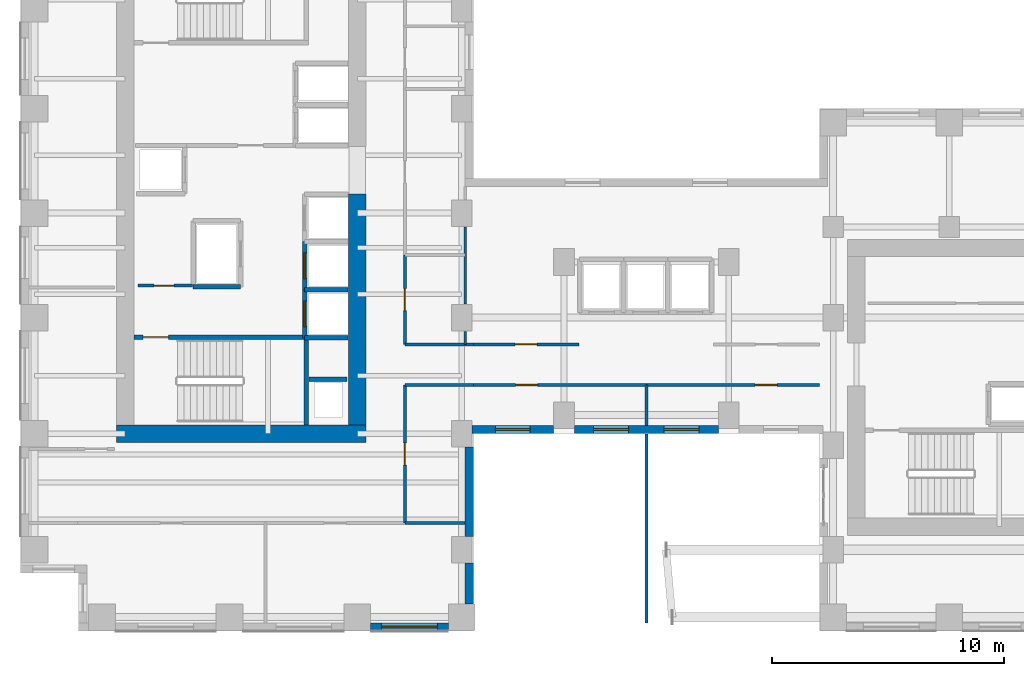
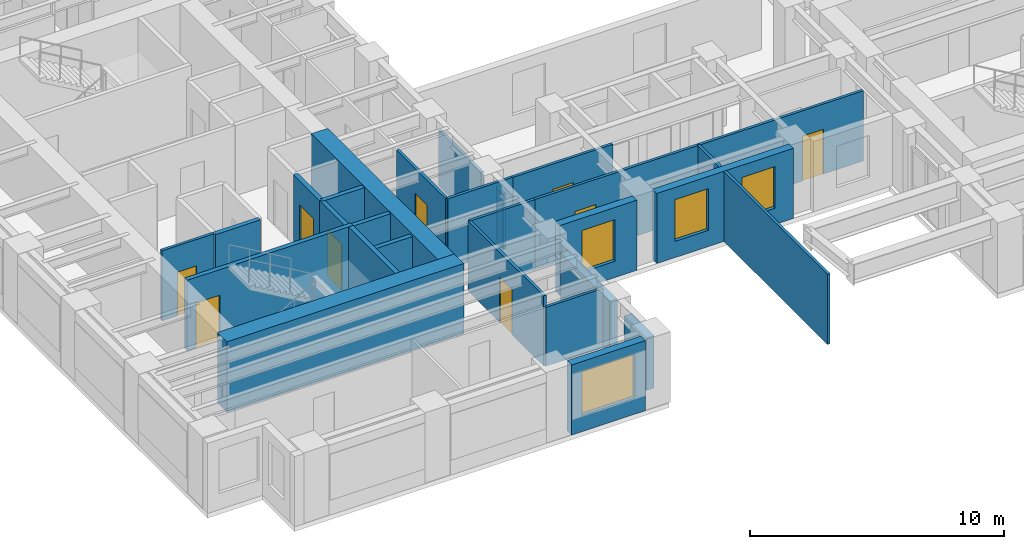
# One storey, part 7 of 14: 28 walls, 9 doors, 4 windows, 13 openings.
"""IFC4 building model written with IfcOpenShell, lengths in metres."""

from ifc_helpers import new_model, si_unit, direction, frame, frame_2d, origin, place, context, subcontext, project, spatial, rectangle, extrude, source, transform, mapped, material, layer, layer_set, type_object, element, fill, save


model = new_model("IFC4")

# Units and contexts
model_context = context("Model", 3, precision=1e-05, world=origin(), true_north=direction((0.0, 1.0)))
body_context = subcontext(model_context, "Body", "Model", "MODEL_VIEW")
ifc_project = project(units=[si_unit("LENGTHUNIT", "METRE"), si_unit("AREAUNIT", "SQUARE_METRE"), si_unit("VOLUMEUNIT", "CUBIC_METRE"), si_unit("PLANEANGLEUNIT", "RADIAN"), si_unit("MASSUNIT", "GRAM", prefix="KILO")], contexts=[model_context])

# Site, building, storey
site_placement = place(None, origin())
site = spatial("IfcSite", under=ifc_project, at=site_placement, CompositionType="ELEMENT")
building_placement = place(site_placement, origin())
building = spatial("IfcBuilding", under=site, at=building_placement, Name="Kharzan Plaza Tower", CompositionType="ELEMENT")
storey_placement = place(building_placement, frame((0.0, 0.0, 102.60009765625)))
storey = spatial("IfcBuildingStorey", under=building, at=storey_placement, Name="L27", CompositionType="ELEMENT", Elevation=102.60009765625)

# Wall, opening, window
ifc_material_1 = material(Name="Concrete C40/50", Category="concrete")
ifc_layer_1 = layer(ifc_material_1, 0.35009765625)
ifc_layer_set_1 = layer_set([ifc_layer_1], Name="Concrete C40/50")
wall_type_1 = type_object("IfcWallType", Name="WL-EXT-MAS-Z2", PredefinedType="SOLIDWALL", material=ifc_layer_set_1)
wall_1_placement = place(storey_placement, frame((15.072998046875, 0.175048828125, 0.0), z_axis=(0.0, 0.0, 1.0), x_axis=(1.0, 0.0, 0.0)))
wall_1 = element("IfcWall", 1, at=wall_1_placement, inside=storey, type_object=wall_type_1, Name="L27 Masonry-Frame Exterior Wall 31", PredefinedType="SOLIDWALL", context=body_context, shape_type="SweptSolid", body=[
    extrude(rectangle(XDim=3.35400390625, YDim=0.35009765625, at=frame_2d((1.677001953125, 0.0))), origin(), (0.0, 0.0, 1.0), 3.364990234375),
])
opening_1_placement = place(wall_1_placement, frame((0.47705078125, 0.0, 0.780029296875)))
opening_1 = element("IfcOpeningElement", 2, at=opening_1_placement, cuts=wall_1, Name="Opening W2", PredefinedType="OPENING", context=body_context, shape_type="SweptSolid", body=[
    extrude(rectangle(XDim=2.39990234375, YDim=2.10009765625, at=frame_2d((1.199951171875, 1.050048828125))), frame((0.0, 0.18505859375, 0.0), z_axis=(0.0, -1.0, 0.0), x_axis=(1.0, 0.0, 0.0)), (0.0, 0.0, 1.0), 0.3701171875),
])
ifc_material_2 = material(Name="Low-E Double Glazing", Category="glass")
window_type_1 = type_object("IfcWindowType", Name="WN-REC-2400x2100", PartitioningType="SINGLE_PANEL", PredefinedType="WINDOW", material=ifc_material_2)
shared_shape_1 = source(origin(), body_context, "Body", "SweptSolid", [
    extrude(rectangle(XDim=2.39990234375, YDim=2.10009765625, at=frame_2d((1.199951171875, 1.050048828125))), frame((0.0, 0.030029296875, 0.0), z_axis=(0.0, -1.0, 0.0), x_axis=(1.0, 0.0, 0.0)), (0.0, 0.0, 1.0), 0.06005859375),
])
window_1_placement = place(opening_1_placement, origin())
window_1 = element("IfcWindow", 3, at=window_1_placement, inside=storey, type_object=window_type_1, Name="L27 Wide Recessed Solar-Control Window 31-1", OverallHeight=2.10009765625, OverallWidth=2.39990234375, PartitioningType="SINGLE_PANEL", PredefinedType="WINDOW", context=body_context, shape_type="MappedRepresentation", body=[
    mapped(shared_shape_1, transform((0.0, 0.0, 0.0), x_axis=(1.0, 0.0, 0.0), y_axis=(0.0, 1.0, 0.0), z_axis=(0.0, 0.0, 1.0))),
])
fill(opening_1, window_1)

wall_2_placement = place(storey_placement, frame((19.447998046875, 8.675048828125, 0.0), z_axis=(0.0, 0.0, 1.0), x_axis=(1.0, 0.0, 0.0)))
wall_2 = element("IfcWall", 4, at=wall_2_placement, inside=storey, type_object=wall_type_1, Name="L27 Masonry-Frame Exterior Wall 34", PredefinedType="SOLIDWALL", context=body_context, shape_type="SweptSolid", body=[
    extrude(rectangle(XDim=3.50390625, YDim=0.35009765625, at=frame_2d((1.751953125, 0.0))), origin(), (0.0, 0.0, 1.0), 3.364990234375),
])
opening_2_placement = place(wall_2_placement, frame((1.001953125, 0.0, 0.780029296875)))
opening_2 = element("IfcOpeningElement", 5, at=opening_2_placement, cuts=wall_2, Name="Opening W5", PredefinedType="OPENING", context=body_context, shape_type="SweptSolid", body=[
    extrude(rectangle(XDim=1.5, YDim=2.0, at=frame_2d((0.75, 1.0))), frame((0.0, 0.18505859375, 0.0), z_axis=(0.0, -1.0, 0.0), x_axis=(1.0, 0.0, 0.0)), (0.0, 0.0, 1.0), 0.3701171875),
])
window_type_2 = type_object("IfcWindowType", Name="WN-SLT-1500x2000", PartitioningType="SINGLE_PANEL", PredefinedType="WINDOW", material=ifc_material_2)
shared_shape_2 = source(origin(), body_context, "Body", "SweptSolid", [
    extrude(rectangle(XDim=1.5, YDim=2.0, at=frame_2d((0.75, 1.0))), frame((0.0, 0.030029296875, 0.0), z_axis=(0.0, -1.0, 0.0), x_axis=(1.0, 0.0, 0.0)), (0.0, 0.0, 1.0), 0.06005859375),
])
window_2_placement = place(opening_2_placement, origin())
window_2 = element("IfcWindow", 6, at=window_2_placement, inside=storey, type_object=window_type_2, Name="L27 Recessed Solar-Control Window 34-1", OverallHeight=2.0, OverallWidth=1.5, PartitioningType="SINGLE_PANEL", PredefinedType="WINDOW", context=body_context, shape_type="MappedRepresentation", body=[
    mapped(shared_shape_2, transform((0.0, 0.0, 0.0), x_axis=(1.0, 0.0, 0.0), y_axis=(0.0, 1.0, 0.0), z_axis=(0.0, 0.0, 1.0))),
])
fill(opening_2, window_2)

# Wall, openings, windows
wall_3_placement = place(storey_placement, frame((23.847900390625, 8.675048828125, 0.0), z_axis=(0.0, 0.0, 1.0), x_axis=(1.0, 0.0, 0.0)))
wall_3 = element("IfcWall", 7, at=wall_3_placement, inside=storey, type_object=wall_type_1, Name="L27 Masonry-Frame Exterior Wall 35", PredefinedType="SOLIDWALL", context=body_context, shape_type="SweptSolid", body=[
    extrude(rectangle(XDim=6.2041015625, YDim=0.35009765625, at=frame_2d((3.10205078125, 0.0))), origin(), (0.0, 0.0, 1.0), 3.364990234375),
])
opening_3_placement = place(wall_3_placement, frame((0.8359375, 0.0, 0.780029296875)))
opening_3 = element("IfcOpeningElement", 8, at=opening_3_placement, cuts=wall_3, Name="Opening W5", PredefinedType="OPENING", context=body_context, shape_type="SweptSolid", body=[
    extrude(rectangle(XDim=1.5, YDim=2.0, at=frame_2d((0.75, 1.0))), frame((0.0, 0.18505859375, 0.0), z_axis=(0.0, -1.0, 0.0), x_axis=(1.0, 0.0, 0.0)), (0.0, 0.0, 1.0), 0.3701171875),
])
opening_4_placement = place(wall_3_placement, frame((3.867919921875, 0.0, 0.780029296875)))
opening_4 = element("IfcOpeningElement", 9, at=opening_4_placement, cuts=wall_3, Name="Opening W5", PredefinedType="OPENING", context=body_context, shape_type="SweptSolid", body=[
    extrude(rectangle(XDim=1.5, YDim=2.0, at=frame_2d((0.75, 1.0))), frame((0.0, 0.18505859375, 0.0), z_axis=(0.0, -1.0, 0.0), x_axis=(1.0, 0.0, 0.0)), (0.0, 0.0, 1.0), 0.3701171875),
])
window_3_placement = place(opening_3_placement, origin())
window_3 = element("IfcWindow", 10, at=window_3_placement, inside=storey, type_object=window_type_2, Name="L27 Recessed Solar-Control Window 35-1", OverallHeight=2.0, OverallWidth=1.5, PartitioningType="SINGLE_PANEL", PredefinedType="WINDOW", context=body_context, shape_type="MappedRepresentation", body=[
    mapped(shared_shape_2, transform((0.0, 0.0, 0.0), x_axis=(1.0, 0.0, 0.0), y_axis=(0.0, 1.0, 0.0), z_axis=(0.0, 0.0, 1.0))),
])
fill(opening_3, window_3)
window_4_placement = place(opening_4_placement, origin())
window_4 = element("IfcWindow", 11, at=window_4_placement, inside=storey, type_object=window_type_2, Name="L27 Recessed Solar-Control Window 35-2", OverallHeight=2.0, OverallWidth=1.5, PartitioningType="SINGLE_PANEL", PredefinedType="WINDOW", context=body_context, shape_type="MappedRepresentation", body=[
    mapped(shared_shape_2, transform((0.0, 0.0, 0.0), x_axis=(1.0, 0.0, 0.0), y_axis=(0.0, 1.0, 0.0), z_axis=(0.0, 0.0, 1.0))),
])
fill(opening_4, window_4)

# Wall, opening, door
ifc_material_3 = material(Name="Fire-Rated Gypsum Board Partition", Category="gypsum")
ifc_layer_2 = layer(ifc_material_3, 0.125)
ifc_layer_set_2 = layer_set([ifc_layer_2], Name="Fire-Rated Gypsum Board Partition")
wall_type_2 = type_object("IfcWallType", Name="WL-INT-PART-125", PredefinedType="PARTITIONING", material=ifc_layer_set_2)
wall_4_placement = place(storey_placement, frame((5.050048828125, 14.8798828125, 0.0), z_axis=(0.0, 0.0, 1.0), x_axis=(1.0, 0.0, 0.0)))
wall_4 = element("IfcWall", 12, at=wall_4_placement, inside=storey, type_object=wall_type_2, Name="L27 Interior Partition CA-K0", PredefinedType="PARTITIONING", context=body_context, shape_type="SweptSolid", body=[
    extrude(rectangle(XDim=2.349853515625, YDim=0.125, at=frame_2d((1.1748046875, 0.0))), origin(), (0.0, 0.0, 1.0), 3.364990234375),
])
opening_5_placement = place(wall_4_placement, frame((0.699951171875, 0.0, 0.0)))
opening_5 = element("IfcOpeningElement", 13, at=opening_5_placement, cuts=wall_4, Name="Opening RD1", PredefinedType="OPENING", context=body_context, shape_type="SweptSolid", body=[
    extrude(rectangle(XDim=0.85009765625, YDim=2.10009765625, at=frame_2d((0.425048828125, 1.050048828125))), frame((0.0, 0.072509765625, 0.0), z_axis=(0.0, -1.0, 0.0), x_axis=(1.0, 0.0, 0.0)), (0.0, 0.0, 1.0), 0.14501953125),
])
ifc_material_4 = material(Name="Powder-Coated Fire-Rated Steel", Category="steel")
door_type_1 = type_object("IfcDoorType", Name="DR-RISER-900", OperationType="NOTDEFINED", PredefinedType="DOOR", material=ifc_material_4)
shared_shape_3 = source(origin(), body_context, "Body", "SweptSolid", [
    extrude(rectangle(XDim=0.85009765625, YDim=2.10009765625, at=frame_2d((0.425048828125, 1.050048828125))), frame((0.0, 0.02490234375, 0.0), z_axis=(0.0, -1.0, 0.0), x_axis=(1.0, 0.0, 0.0)), (0.0, 0.0, 1.0), 0.050048828125),
])
door_1_placement = place(opening_5_placement, origin())
door_1 = element("IfcDoor", 14, at=door_1_placement, inside=storey, type_object=door_type_1, Name="L27 Cleaners Store Door", OperationType="SINGLE_SWING_RIGHT", OverallHeight=2.10009765625, OverallWidth=0.85009765625, PredefinedType="DOOR", context=body_context, shape_type="MappedRepresentation", body=[
    mapped(shared_shape_3, transform((0.0, 0.0, 0.0), x_axis=(1.0, 0.0, 0.0), y_axis=(0.0, 1.0, 0.0), z_axis=(0.0, 0.0, 1.0))),
])
fill(opening_5, door_1)

wall_5_placement = place(storey_placement, frame((16.550048828125, 12.35009765625, 0.0), z_axis=(0.0, 0.0, 1.0), x_axis=(0.0, 1.0, 0.0)))
wall_5 = element("IfcWall", 15, at=wall_5_placement, inside=storey, type_object=wall_type_2, Name="L27 Interior Partition SH-AEWN1", PredefinedType="PARTITIONING", context=body_context, shape_type="SweptSolid", body=[
    extrude(rectangle(XDim=3.849853515625, YDim=0.125, at=frame_2d((1.9248046875, 0.0))), origin(), (0.0, 0.0, 1.0), 3.364990234375),
])
opening_6_placement = place(wall_5_placement, frame((1.449951171875, 0.0, 0.0)))
opening_6 = element("IfcOpeningElement", 16, at=opening_6_placement, cuts=wall_5, Name="Opening OD1", PredefinedType="OPENING", context=body_context, shape_type="SweptSolid", body=[
    extrude(rectangle(XDim=0.949951171875, YDim=2.14990234375, at=frame_2d((0.47509765625, 1.074951171875))), frame((0.0, 0.072509765625, 0.0), z_axis=(0.0, -1.0, 0.0), x_axis=(1.0, 0.0, 0.0)), (0.0, 0.0, 1.0), 0.14501953125),
])
ifc_material_5 = material(Name="Acoustic Solid-Core Stained Oak", Category="timber")
door_type_2 = type_object("IfcDoorType", Name="DR-OFF-SINGLE", OperationType="NOTDEFINED", PredefinedType="DOOR", material=ifc_material_5)
shared_shape_4 = source(origin(), body_context, "Body", "SweptSolid", [
    extrude(rectangle(XDim=0.949951171875, YDim=2.14990234375, at=frame_2d((0.47509765625, 1.074951171875))), frame((0.0, 0.02490234375, 0.0), z_axis=(0.0, -1.0, 0.0), x_axis=(1.0, 0.0, 0.0)), (0.0, 0.0, 1.0), 0.050048828125),
])
door_2_placement = place(opening_6_placement, origin())
door_2 = element("IfcDoor", 17, at=door_2_placement, inside=storey, type_object=door_type_2, Name="L27 Slot Collaboration Door", OperationType="SINGLE_SWING_RIGHT", OverallHeight=2.14990234375, OverallWidth=0.949951171875, PredefinedType="DOOR", context=body_context, shape_type="MappedRepresentation", body=[
    mapped(shared_shape_4, transform((0.0, 0.0, 0.0), x_axis=(1.0, 0.0, 0.0), y_axis=(0.0, 1.0, 0.0), z_axis=(0.0, 0.0, 1.0))),
])
fill(opening_6, door_2)

wall_6_placement = place(storey_placement, frame((16.550048828125, 4.64990234375, 0.0), z_axis=(0.0, 0.0, 1.0), x_axis=(0.0, 1.0, 0.0)))
wall_6 = element("IfcWall", 18, at=wall_6_placement, inside=storey, type_object=wall_type_2, Name="L27 Interior Partition SH-AEWS", PredefinedType="PARTITIONING", context=body_context, shape_type="SweptSolid", body=[
    extrude(rectangle(XDim=5.9501953125, YDim=0.125, at=frame_2d((2.97509765625, 0.0))), origin(), (0.0, 0.0, 1.0), 3.364990234375),
])
opening_7_placement = place(wall_6_placement, frame((2.5, 0.0, 0.0)))
opening_7 = element("IfcOpeningElement", 19, at=opening_7_placement, cuts=wall_6, Name="Opening OD1", PredefinedType="OPENING", context=body_context, shape_type="SweptSolid", body=[
    extrude(rectangle(XDim=0.949951171875, YDim=2.14990234375, at=frame_2d((0.47509765625, 1.074951171875))), frame((0.0, 0.072509765625, 0.0), z_axis=(0.0, -1.0, 0.0), x_axis=(1.0, 0.0, 0.0)), (0.0, 0.0, 1.0), 0.14501953125),
])
door_3_placement = place(opening_7_placement, origin())
door_3 = element("IfcDoor", 20, at=door_3_placement, inside=storey, type_object=door_type_2, Name="L27 Slot South Office Door", OperationType="SINGLE_SWING_LEFT", OverallHeight=2.14990234375, OverallWidth=0.949951171875, PredefinedType="DOOR", context=body_context, shape_type="MappedRepresentation", body=[
    mapped(shared_shape_4, transform((0.0, 0.0, 0.0), x_axis=(1.0, 0.0, 0.0), y_axis=(0.0, 1.0, 0.0), z_axis=(0.0, 0.0, 1.0))),
])
fill(opening_7, door_3)

wall_7_placement = place(storey_placement, frame((19.5, 12.35009765625, 0.0), z_axis=(0.0, 0.0, 1.0), x_axis=(1.0, 0.0, 0.0)))
wall_7 = element("IfcWall", 21, at=wall_7_placement, inside=storey, type_object=wall_type_2, Name="L27 Interior Partition SH-SPNW1", PredefinedType="PARTITIONING", context=body_context, shape_type="SweptSolid", body=[
    extrude(rectangle(XDim=4.550048828125, YDim=0.125, at=frame_2d((2.27490234375, 0.0))), origin(), (0.0, 0.0, 1.0), 3.364990234375),
])
opening_8_placement = place(wall_7_placement, frame((1.800048828125, 0.0, 0.0)))
opening_8 = element("IfcOpeningElement", 22, at=opening_8_placement, cuts=wall_7, Name="Opening OD1", PredefinedType="OPENING", context=body_context, shape_type="SweptSolid", body=[
    extrude(rectangle(XDim=0.949951171875, YDim=2.14990234375, at=frame_2d((0.47509765625, 1.074951171875))), frame((0.0, 0.072509765625, 0.0), z_axis=(0.0, -1.0, 0.0), x_axis=(1.0, 0.0, 0.0)), (0.0, 0.0, 1.0), 0.14501953125),
])
door_4_placement = place(opening_8_placement, origin())
door_4 = element("IfcDoor", 23, at=door_4_placement, inside=storey, type_object=door_type_2, Name="L27 North-West Spine Door", OperationType="SINGLE_SWING_RIGHT", OverallHeight=2.14990234375, OverallWidth=0.949951171875, PredefinedType="DOOR", context=body_context, shape_type="MappedRepresentation", body=[
    mapped(shared_shape_4, transform((0.0, 0.0, 0.0), x_axis=(1.0, 0.0, 0.0), y_axis=(0.0, 1.0, 0.0), z_axis=(0.0, 0.0, 1.0))),
])
fill(opening_8, door_4)

wall_8_placement = place(storey_placement, frame((19.5, 10.60009765625, 0.0), z_axis=(0.0, 0.0, 1.0), x_axis=(1.0, 0.0, 0.0)))
wall_8 = element("IfcWall", 24, at=wall_8_placement, inside=storey, type_object=wall_type_2, Name="L27 Interior Partition SH-SPS1", PredefinedType="PARTITIONING", context=body_context, shape_type="SweptSolid", body=[
    extrude(rectangle(XDim=7.449951171875, YDim=0.125, at=frame_2d((3.72509765625, 0.0))), origin(), (0.0, 0.0, 1.0), 3.364990234375),
])
opening_9_placement = place(wall_8_placement, frame((1.8173828125, 0.0, 0.0)))
opening_9 = element("IfcOpeningElement", 25, at=opening_9_placement, cuts=wall_8, Name="Opening OD1", PredefinedType="OPENING", context=body_context, shape_type="SweptSolid", body=[
    extrude(rectangle(XDim=0.949951171875, YDim=2.14990234375, at=frame_2d((0.47509765625, 1.074951171875))), frame((0.0, 0.072509765625, 0.0), z_axis=(0.0, -1.0, 0.0), x_axis=(1.0, 0.0, 0.0)), (0.0, 0.0, 1.0), 0.14501953125),
])
door_5_placement = place(opening_9_placement, origin())
door_5 = element("IfcDoor", 26, at=door_5_placement, inside=storey, type_object=door_type_2, Name="L27 South Spine West Door", OperationType="SINGLE_SWING_RIGHT", OverallHeight=2.14990234375, OverallWidth=0.949951171875, PredefinedType="DOOR", context=body_context, shape_type="MappedRepresentation", body=[
    mapped(shared_shape_4, transform((0.0, 0.0, 0.0), x_axis=(1.0, 0.0, 0.0), y_axis=(0.0, 1.0, 0.0), z_axis=(0.0, 0.0, 1.0))),
])
fill(opening_9, door_5)

wall_9_placement = place(storey_placement, frame((26.949951171875, 10.60009765625, 0.0), z_axis=(0.0, 0.0, 1.0), x_axis=(1.0, 0.0, 0.0)))
wall_9 = element("IfcWall", 27, at=wall_9_placement, inside=storey, type_object=wall_type_2, Name="L27 Interior Partition SH-SPS2", PredefinedType="PARTITIONING", context=body_context, shape_type="SweptSolid", body=[
    extrude(rectangle(XDim=7.449951171875, YDim=0.125, at=frame_2d((3.72509765625, 0.0))), origin(), (0.0, 0.0, 1.0), 3.364990234375),
])
opening_10_placement = place(wall_9_placement, frame((4.6826171875, 0.0, 0.0)))
opening_10 = element("IfcOpeningElement", 28, at=opening_10_placement, cuts=wall_9, Name="Opening OD1", PredefinedType="OPENING", context=body_context, shape_type="SweptSolid", body=[
    extrude(rectangle(XDim=0.949951171875, YDim=2.14990234375, at=frame_2d((0.47509765625, 1.074951171875))), frame((0.0, 0.072509765625, 0.0), z_axis=(0.0, -1.0, 0.0), x_axis=(1.0, 0.0, 0.0)), (0.0, 0.0, 1.0), 0.14501953125),
])
door_6_placement = place(opening_10_placement, origin())
door_6 = element("IfcDoor", 29, at=door_6_placement, inside=storey, type_object=door_type_2, Name="L27 South Spine East Door", OperationType="SINGLE_SWING_LEFT", OverallHeight=2.14990234375, OverallWidth=0.949951171875, PredefinedType="DOOR", context=body_context, shape_type="MappedRepresentation", body=[
    mapped(shared_shape_4, transform((0.0, 0.0, 0.0), x_axis=(1.0, 0.0, 0.0), y_axis=(0.0, 1.0, 0.0), z_axis=(0.0, 0.0, 1.0))),
])
fill(opening_10, door_6)

ifc_layer_3 = layer(ifc_material_1, 0.199951171875)
ifc_layer_set_3 = layer_set([ifc_layer_3], Name="Concrete C40/50")
wall_type_3 = type_object("IfcWallType", Name="WL-INT-SHAFT-200", PredefinedType="PARTITIONING", material=ifc_layer_set_3)
wall_10_placement = place(storey_placement, frame((12.22998046875, 12.6298828125, 0.0), z_axis=(0.0, 0.0, 1.0), x_axis=(0.0, 1.0, 0.0)))
wall_10 = element("IfcWall", 30, at=wall_10_placement, inside=storey, type_object=wall_type_3, Name="L27 Interior Partition SHF-PL-H1-W", PredefinedType="PARTITIONING", context=body_context, shape_type="SweptSolid", body=[
    extrude(rectangle(XDim=2.070068359375, YDim=0.199951171875, at=frame_2d((1.03515625, 0.0))), origin(), (0.0, 0.0, 1.0), 3.364990234375),
])
opening_11_placement = place(wall_10_placement, frame((0.485107421875, 0.0, 0.0)))
opening_11 = element("IfcOpeningElement", 31, at=opening_11_placement, cuts=wall_10, Name="Opening LD", PredefinedType="OPENING", context=body_context, shape_type="SweptSolid", body=[
    extrude(rectangle(XDim=1.10009765625, YDim=2.199951171875, at=frame_2d((0.550048828125, 1.10009765625))), frame((0.0, 0.10986328125, 0.0), z_axis=(0.0, -1.0, 0.0), x_axis=(1.0, 0.0, 0.0)), (0.0, 0.0, 1.0), 0.219970703125),
])
ifc_material_6 = material(Name="Brushed Stainless Steel", Category="steel")
door_type_3 = type_object("IfcDoorType", Name="DR-LIFT-SLIDE", OperationType="SLIDING_TO_LEFT", PredefinedType="DOOR", material=ifc_material_6)
shared_shape_5 = source(origin(), body_context, "Body", "SweptSolid", [
    extrude(rectangle(XDim=1.10009765625, YDim=2.199951171875, at=frame_2d((0.550048828125, 1.10009765625))), frame((0.0, 0.02490234375, 0.0), z_axis=(0.0, -1.0, 0.0), x_axis=(1.0, 0.0, 0.0)), (0.0, 0.0, 1.0), 0.050048828125),
])
door_7_placement = place(opening_11_placement, origin())
door_7 = element("IfcDoor", 32, at=door_7_placement, inside=storey, type_object=door_type_3, Name="L27 High-Rise Passenger Lift PL-H1 Sliding Landing Door", OperationType="SLIDING_TO_LEFT", OverallHeight=2.199951171875, OverallWidth=1.10009765625, PredefinedType="DOOR", context=body_context, shape_type="MappedRepresentation", body=[
    mapped(shared_shape_5, transform((0.0, 0.0, 0.0), x_axis=(1.0, 0.0, 0.0), y_axis=(0.0, 1.0, 0.0), z_axis=(0.0, 0.0, 1.0))),
])
fill(opening_11, door_7)

wall_11_placement = place(storey_placement, frame((12.22998046875, 14.699951171875, 0.0), z_axis=(0.0, 0.0, 1.0), x_axis=(0.0, 1.0, 0.0)))
wall_11 = element("IfcWall", 33, at=wall_11_placement, inside=storey, type_object=wall_type_3, Name="L27 Interior Partition SHF-PL-H2-W", PredefinedType="PARTITIONING", context=body_context, shape_type="SweptSolid", body=[
    extrude(rectangle(XDim=2.070068359375, YDim=0.199951171875, at=frame_2d((1.03515625, 0.0))), origin(), (0.0, 0.0, 1.0), 3.364990234375),
])
opening_12_placement = place(wall_11_placement, frame((0.485107421875, 0.0, 0.0)))
opening_12 = element("IfcOpeningElement", 34, at=opening_12_placement, cuts=wall_11, Name="Opening LD", PredefinedType="OPENING", context=body_context, shape_type="SweptSolid", body=[
    extrude(rectangle(XDim=1.10009765625, YDim=2.199951171875, at=frame_2d((0.550048828125, 1.10009765625))), frame((0.0, 0.10986328125, 0.0), z_axis=(0.0, -1.0, 0.0), x_axis=(1.0, 0.0, 0.0)), (0.0, 0.0, 1.0), 0.219970703125),
])
door_8_placement = place(opening_12_placement, origin())
door_8 = element("IfcDoor", 35, at=door_8_placement, inside=storey, type_object=door_type_3, Name="L27 High-Rise Passenger Lift PL-H2 Sliding Landing Door", OperationType="SLIDING_TO_LEFT", OverallHeight=2.199951171875, OverallWidth=1.10009765625, PredefinedType="DOOR", context=body_context, shape_type="MappedRepresentation", body=[
    mapped(shared_shape_5, transform((0.0, 0.0, 0.0), x_axis=(1.0, 0.0, 0.0), y_axis=(0.0, 1.0, 0.0), z_axis=(0.0, 0.0, 1.0))),
])
fill(opening_12, door_8)

ifc_material_7 = material(Name="Concrete C50/60", Category="concrete")
ifc_layer_4 = layer(ifc_material_7, 0.199951171875)
ifc_layer_set_4 = layer_set([ifc_layer_4], Name="Concrete C50/60")
wall_type_4 = type_object("IfcWallType", Name="WL-SHAFT-RC200", PredefinedType="SHEAR", material=ifc_layer_set_4)
wall_12_placement = place(storey_placement, frame((4.876953125, 12.655029296875, 0.0), z_axis=(0.0, 0.0, 1.0), x_axis=(1.0, 0.0, 0.0)))
wall_12 = element("IfcWall", 36, at=wall_12_placement, inside=storey, type_object=wall_type_4, Name="L27 Stair ST-1 North RC Shaft Wall", PredefinedType="SHEAR", context=body_context, shape_type="SweptSolid", body=[
    extrude(rectangle(XDim=7.528076171875, YDim=0.199951171875, at=frame_2d((3.76416015625, 0.0))), origin(), (0.0, 0.0, 1.0), 3.3798828125),
])
opening_13_placement = place(wall_12_placement, frame((0.39990234375, 0.0, 0.0)))
opening_13 = element("IfcOpeningElement", 37, at=opening_13_placement, cuts=wall_12, Name="Opening SD1", PredefinedType="OPENING", context=body_context, shape_type="SweptSolid", body=[
    extrude(rectangle(XDim=1.10009765625, YDim=2.14990234375, at=frame_2d((0.550048828125, 1.074951171875))), frame((0.0, 0.10986328125, 0.0), z_axis=(0.0, -1.0, 0.0), x_axis=(1.0, 0.0, 0.0)), (0.0, 0.0, 1.0), 0.219970703125),
])
ifc_material_8 = material(Name="Fire-Rated Hollow Galvanized Steel", Category="steel")
door_type_4 = type_object("IfcDoorType", Name="DR-STAIR-FD120", OperationType="NOTDEFINED", PredefinedType="DOOR", material=ifc_material_8)
shared_shape_6 = source(origin(), body_context, "Body", "SweptSolid", [
    extrude(rectangle(XDim=1.10009765625, YDim=2.14990234375, at=frame_2d((0.550048828125, 1.074951171875))), frame((0.0, 0.02490234375, 0.0), z_axis=(0.0, -1.0, 0.0), x_axis=(1.0, 0.0, 0.0)), (0.0, 0.0, 1.0), 0.050048828125),
])
door_9_placement = place(opening_13_placement, origin())
door_9 = element("IfcDoor", 38, at=door_9_placement, inside=storey, type_object=door_type_4, Name="L27 Stair ST-1 Fire Exit Door", OperationType="SINGLE_SWING_LEFT", OverallHeight=2.14990234375, OverallWidth=1.10009765625, PredefinedType="DOOR", context=body_context, shape_type="MappedRepresentation", body=[
    mapped(shared_shape_6, transform((0.0, 0.0, 0.0), x_axis=(1.0, 0.0, 0.0), y_axis=(0.0, 1.0, 0.0), z_axis=(0.0, 0.0, 1.0))),
])
fill(opening_13, door_9)

# Walls
shared_shape_7 = source(origin(), body_context, "Body", "SweptSolid", [
    extrude(rectangle(XDim=2.949951171875, YDim=0.125, at=frame_2d((1.47509765625, 0.0))), origin(), (0.0, 0.0, 1.0), 3.364990234375),
])
for number, where, z_axis, x_axis, name in (
    (39, (16.550048828125, 12.35009765625, 0.0), (0.0, 0.0, 1.0), (1.0, 0.0, 0.0), "L27 Interior Partition SH-SPNW0"),
    (40, (16.550048828125, 10.60009765625, 0.0), (0.0, 0.0, 1.0), (1.0, 0.0, 0.0), "L27 Interior Partition SH-SPS0"),
):
    element("IfcWall", number, at=place(storey_placement, frame(where, z_axis=z_axis, x_axis=x_axis)), inside=storey, type_object=wall_type_2, Name=name, PredefinedType="PARTITIONING", context=body_context, shape_type="MappedRepresentation", body=[
        mapped(shared_shape_7, transform((0.0, 0.0, 0.0), x_axis=(1.0, 0.0, 0.0), y_axis=(0.0, 1.0, 0.0), z_axis=(0.0, 0.0, 1.0))),
    ])
shared_shape_8 = source(origin(), body_context, "Body", "SweptSolid", [
    extrude(rectangle(XDim=2.597900390625, YDim=0.125, at=frame_2d((1.298828125, 0.0))), origin(), (0.0, 0.0, 1.0), 2.827880859375),
])
wall_13_placement = place(storey_placement, frame((16.550048828125, 4.64990234375, 0.0), z_axis=(0.0, 0.0, 1.0), x_axis=(1.0, 0.0, 0.0)))
element("IfcWall", 41, at=wall_13_placement, inside=storey, type_object=wall_type_2, Name="L27 Interior Partition SH-SSE-2", PredefinedType="PARTITIONING", context=body_context, shape_type="MappedRepresentation", body=[
    mapped(shared_shape_8, transform((0.0, 0.0, 0.0), x_axis=(1.0, 0.0, 0.0), y_axis=(0.0, 1.0, 0.0), z_axis=(0.0, 0.0, 1.0))),
])
shared_shape_9 = source(origin(), body_context, "Body", "SweptSolid", [
    extrude(rectangle(XDim=2.0400390625, YDim=0.199951171875, at=frame_2d((1.02001953125, 0.0))), origin(), (0.0, 0.0, 1.0), 3.364990234375),
])
wall_14_placement = place(storey_placement, frame((7.429931640625, 14.830078125, 0.0), z_axis=(0.0, 0.0, 1.0), x_axis=(1.0, 0.0, 0.0)))
element("IfcWall", 42, at=wall_14_placement, inside=storey, type_object=wall_type_3, Name="L27 Interior Partition SHF-SVL-1-S", PredefinedType="PARTITIONING", context=body_context, shape_type="MappedRepresentation", body=[
    mapped(shared_shape_9, transform((0.0, 0.0, 0.0), x_axis=(1.0, 0.0, 0.0), y_axis=(0.0, 1.0, 0.0), z_axis=(0.0, 0.0, 1.0))),
])
shared_shape_10 = source(origin(), body_context, "Body", "SweptSolid", [
    extrude(rectangle(XDim=8.14794921875, YDim=0.125, at=frame_2d((4.073974609375, 0.0))), origin(), (0.0, 0.0, 1.0), 3.364990234375),
])
wall_15_placement = place(storey_placement, frame((26.949951171875, 0.35009765625, 0.0), z_axis=(0.0, 0.0, 1.0), x_axis=(0.0, 1.0, 0.0)))
element("IfcWall", 43, at=wall_15_placement, inside=storey, type_object=wall_type_2, Name="L27 Interior Partition SH-SPSV1-S1", PredefinedType="PARTITIONING", context=body_context, shape_type="MappedRepresentation", body=[
    mapped(shared_shape_10, transform((0.0, 0.0, 0.0), x_axis=(1.0, 0.0, 0.0), y_axis=(0.0, 1.0, 0.0), z_axis=(0.0, 0.0, 1.0))),
])
shared_shape_11 = source(origin(), body_context, "Body", "SweptSolid", [
    extrude(rectangle(XDim=1.748046875, YDim=0.125, at=frame_2d((0.8740234375, 0.0))), origin(), (0.0, 0.0, 1.0), 3.364990234375),
])
wall_16_placement = place(storey_placement, frame((26.949951171875, 8.85205078125, 0.0), z_axis=(0.0, 0.0, 1.0), x_axis=(0.0, 1.0, 0.0)))
element("IfcWall", 44, at=wall_16_placement, inside=storey, type_object=wall_type_2, Name="L27 Interior Partition SH-SPSV1-S2", PredefinedType="PARTITIONING", context=body_context, shape_type="MappedRepresentation", body=[
    mapped(shared_shape_11, transform((0.0, 0.0, 0.0), x_axis=(1.0, 0.0, 0.0), y_axis=(0.0, 1.0, 0.0), z_axis=(0.0, 0.0, 1.0))),
])
shared_shape_12 = source(origin(), body_context, "Body", "SweptSolid", [
    extrude(rectangle(XDim=0.559814453125, YDim=0.125, at=frame_2d((0.27978515625, 0.0))), origin(), (0.0, 0.0, 1.0), 2.677001953125),
])
wall_17_placement = place(storey_placement, frame((19.14990234375, 12.35009765625, 0.0), z_axis=(0.0, 0.0, 1.0), x_axis=(0.0, 1.0, 0.0)))
element("IfcWall", 45, at=wall_17_placement, inside=storey, type_object=wall_type_2, Name="L27 Interior Partition SH-AEN-DIV-S1", PredefinedType="PARTITIONING", context=body_context, shape_type="MappedRepresentation", body=[
    mapped(shared_shape_12, transform((0.0, 0.0, 0.0), x_axis=(1.0, 0.0, 0.0), y_axis=(0.0, 1.0, 0.0), z_axis=(0.0, 0.0, 1.0))),
])
shared_shape_13 = source(origin(), body_context, "Body", "SweptSolid", [
    extrude(rectangle(XDim=3.31982421875, YDim=0.125, at=frame_2d((1.659912109375, 0.0))), origin(), (0.0, 0.0, 1.0), 2.677001953125),
])
wall_18_placement = place(storey_placement, frame((19.14990234375, 14.090087890625, 0.0), z_axis=(0.0, 0.0, 1.0), x_axis=(0.0, 1.0, 0.0)))
element("IfcWall", 46, at=wall_18_placement, inside=storey, type_object=wall_type_2, Name="L27 Interior Partition SH-AEN-DIV-S2", PredefinedType="PARTITIONING", context=body_context, shape_type="MappedRepresentation", body=[
    mapped(shared_shape_13, transform((0.0, 0.0, 0.0), x_axis=(1.0, 0.0, 0.0), y_axis=(0.0, 1.0, 0.0), z_axis=(0.0, 0.0, 1.0))),
])
shared_shape_14 = source(origin(), body_context, "Body", "SweptSolid", [
    extrude(rectangle(XDim=1.630126953125, YDim=0.199951171875, at=frame_2d((0.81494140625, 0.0))), origin(), (0.0, 0.0, 1.0), 3.364990234375),
])
wall_19_placement = place(storey_placement, frame((12.419921875, 10.85009765625, 0.0), z_axis=(0.0, 0.0, 1.0), x_axis=(1.0, 0.0, 0.0)))
element("IfcWall", 47, at=wall_19_placement, inside=storey, type_object=wall_type_3, Name="L27 Interior Partition CA-RSRA-N", PredefinedType="PARTITIONING", context=body_context, shape_type="MappedRepresentation", body=[
    mapped(shared_shape_14, transform((0.0, 0.0, 0.0), x_axis=(1.0, 0.0, 0.0), y_axis=(0.0, 1.0, 0.0), z_axis=(0.0, 0.0, 1.0))),
])
shared_shape_15 = source(origin(), body_context, "Body", "SweptSolid", [
    extrude(rectangle(XDim=1.864990234375, YDim=0.199951171875, at=frame_2d((0.9326171875, 0.0))), origin(), (0.0, 0.0, 1.0), 3.364990234375),
])
for number, where, z_axis, x_axis, name in (
    (48, (12.22998046875, 14.699951171875, 0.0), (0.0, 0.0, 1.0), (1.0, 0.0, 0.0), "L27 Interior Partition SHF-PL-H1-N"),
    (49, (12.22998046875, 12.6298828125, 0.0), (0.0, 0.0, 1.0), (1.0, 0.0, 0.0), "L27 Interior Partition SHF-PL-H1-S"),
):
    element("IfcWall", number, at=place(storey_placement, frame(where, z_axis=z_axis, x_axis=x_axis)), inside=storey, type_object=wall_type_3, Name=name, PredefinedType="PARTITIONING", context=body_context, shape_type="MappedRepresentation", body=[
        mapped(shared_shape_15, transform((0.0, 0.0, 0.0), x_axis=(1.0, 0.0, 0.0), y_axis=(0.0, 1.0, 0.0), z_axis=(0.0, 0.0, 1.0))),
    ])
ifc_material_9 = material(Name="Concrete C60/75", Category="concrete")
ifc_layer_5 = layer(ifc_material_9, 0.75)
ifc_layer_set_5 = layer_set([ifc_layer_5], Name="Concrete C60/75")
wall_type_5 = type_object("IfcWallType", Name="WL-CORE-750", PredefinedType="SHEAR", material=ifc_layer_set_5)
shared_shape_16 = source(origin(), body_context, "Body", "SweptSolid", [
    extrude(rectangle(XDim=9.945068359375, YDim=0.75, at=frame_2d((4.97265625, 0.0))), origin(), (0.0, 0.0, 1.0), 3.3798828125),
])
wall_20_placement = place(storey_placement, frame((14.5, 8.875, 0.0), z_axis=(0.0, 0.0, 1.0), x_axis=(0.0, 1.0, 0.0)))
element("IfcWall", 50, at=wall_20_placement, inside=storey, type_object=wall_type_5, Name="L27 CORE-A east shear pier 1", PredefinedType="SHEAR", context=body_context, shape_type="MappedRepresentation", body=[
    mapped(shared_shape_16, transform((0.0, 0.0, 0.0), x_axis=(1.0, 0.0, 0.0), y_axis=(0.0, 1.0, 0.0), z_axis=(0.0, 0.0, 1.0))),
])
shared_shape_17 = source(origin(), body_context, "Body", "SweptSolid", [
    extrude(rectangle(XDim=10.75, YDim=0.75, at=frame_2d((5.375, 0.0))), origin(), (0.0, 0.0, 1.0), 3.3798828125),
])
wall_21_placement = place(storey_placement, frame((4.125, 8.5, 0.0), z_axis=(0.0, 0.0, 1.0), x_axis=(1.0, 0.0, 0.0)))
element("IfcWall", 51, at=wall_21_placement, inside=storey, type_object=wall_type_5, Name="L27 CORE-A south RC shear wall", PredefinedType="SHEAR", context=body_context, shape_type="MappedRepresentation", body=[
    mapped(shared_shape_17, transform((0.0, 0.0, 0.0), x_axis=(1.0, 0.0, 0.0), y_axis=(0.0, 1.0, 0.0), z_axis=(0.0, 0.0, 1.0))),
])
shared_shape_18 = source(origin(), body_context, "Body", "SweptSolid", [
    extrude(rectangle(XDim=3.677978515625, YDim=0.199951171875, at=frame_2d((1.8388671875, 0.0))), origin(), (0.0, 0.0, 1.0), 3.3798828125),
])
wall_22_placement = place(storey_placement, frame((12.304931640625, 8.876953125, 0.0), z_axis=(0.0, 0.0, 1.0), x_axis=(0.0, 1.0, 0.0)))
element("IfcWall", 52, at=wall_22_placement, inside=storey, type_object=wall_type_4, Name="L27 Stair ST-1 East RC Shaft Wall", PredefinedType="SHEAR", context=body_context, shape_type="MappedRepresentation", body=[
    mapped(shared_shape_18, transform((0.0, 0.0, 0.0), x_axis=(1.0, 0.0, 0.0), y_axis=(0.0, 1.0, 0.0), z_axis=(0.0, 0.0, 1.0))),
])
shared_shape_19 = source(origin(), body_context, "Body", "SweptSolid", [
    extrude(rectangle(XDim=1.75390625, YDim=0.35009765625, at=frame_2d((0.876953125, 0.0))), origin(), (0.0, 0.0, 1.0), 2.518798828125),
])
wall_23_placement = place(storey_placement, frame((19.324951171875, 1.173095703125, 0.0), z_axis=(0.0, 0.0, 1.0), x_axis=(0.0, 1.0, 0.0)))
element("IfcWall", 53, at=wall_23_placement, inside=storey, type_object=wall_type_1, Name="L27 Masonry-Frame Exterior Wall 32", PredefinedType="SOLIDWALL", context=body_context, shape_type="MappedRepresentation", body=[
    mapped(shared_shape_19, transform((0.0, 0.0, 0.0), x_axis=(1.0, 0.0, 0.0), y_axis=(0.0, 1.0, 0.0), z_axis=(0.0, 0.0, 1.0))),
])
shared_shape_20 = source(origin(), body_context, "Body", "SweptSolid", [
    extrude(rectangle(XDim=3.85400390625, YDim=0.35009765625, at=frame_2d((1.927001953125, 0.0))), origin(), (0.0, 0.0, 1.0), 2.518798828125),
])
wall_24_placement = place(storey_placement, frame((19.324951171875, 4.072998046875, 0.0), z_axis=(0.0, 0.0, 1.0), x_axis=(0.0, 1.0, 0.0)))
element("IfcWall", 54, at=wall_24_placement, inside=storey, type_object=wall_type_1, Name="L27 Masonry-Frame Exterior Wall 33", PredefinedType="SOLIDWALL", context=body_context, shape_type="MappedRepresentation", body=[
    mapped(shared_shape_20, transform((0.0, 0.0, 0.0), x_axis=(1.0, 0.0, 0.0), y_axis=(0.0, 1.0, 0.0), z_axis=(0.0, 0.0, 1.0))),
])

save(model, "model.ifc")
